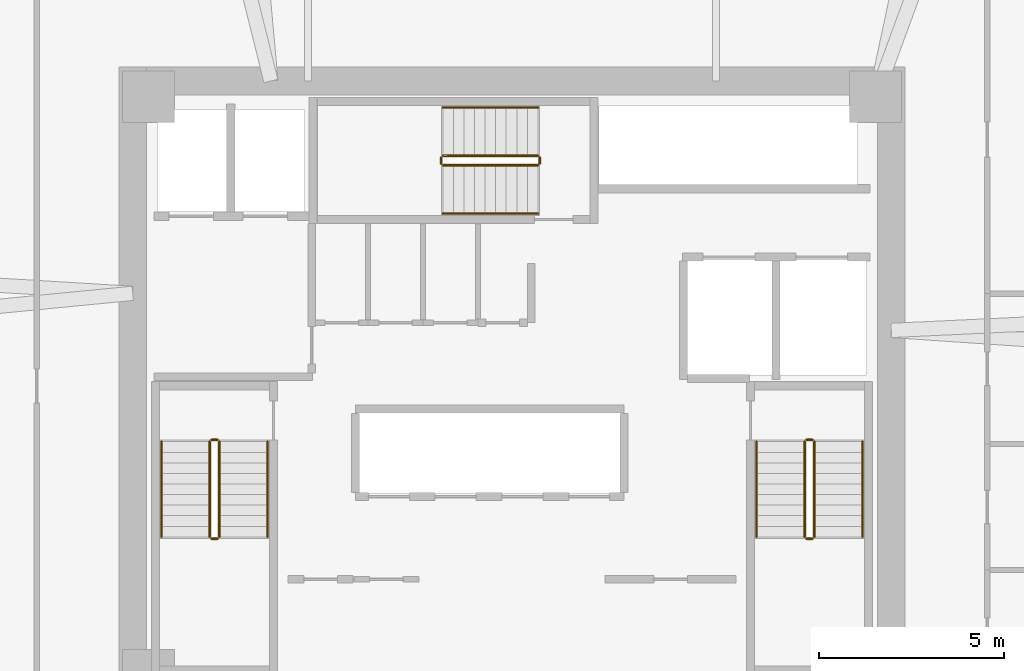
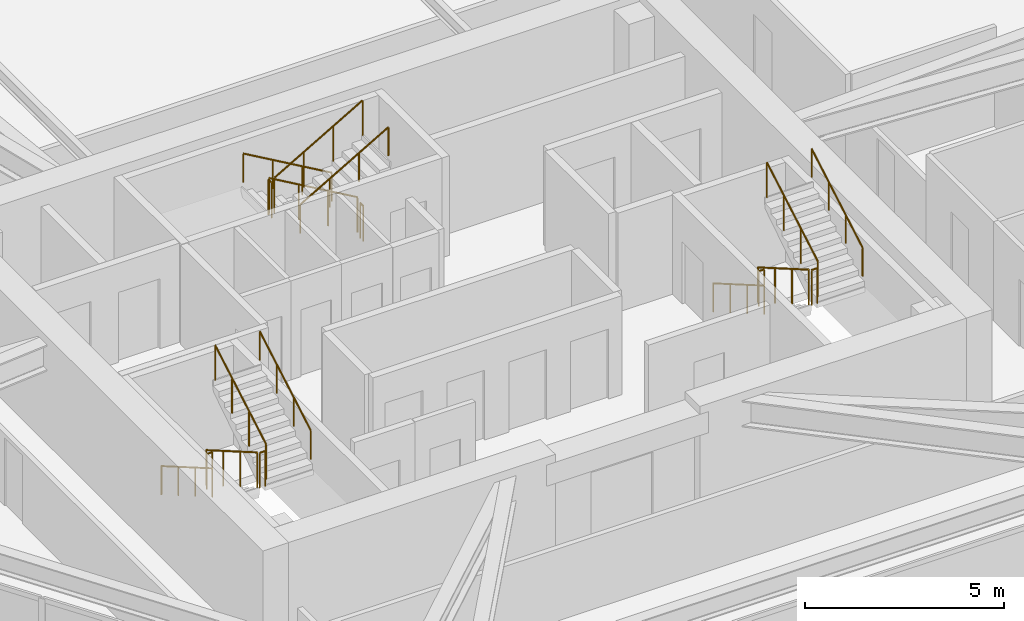
# One storey, part 15 of 15: 18 railings.
"""IFC4 building model written with IfcOpenShell, lengths in metres."""

from ifc_helpers import new_model, si_unit, direction, frame, origin, origin_2d, place, context, subcontext, project, spatial, circle, extrude, material, type_object, element, save


model = new_model("IFC4")

# Units and contexts
model_context = context("Model", 3, precision=1e-05, world=origin(), true_north=direction((0.0, 1.0)))
body_context = subcontext(model_context, "Body", "Model", "MODEL_VIEW")
ifc_project = project(units=[si_unit("LENGTHUNIT", "METRE"), si_unit("AREAUNIT", "SQUARE_METRE"), si_unit("VOLUMEUNIT", "CUBIC_METRE"), si_unit("PLANEANGLEUNIT", "RADIAN"), si_unit("MASSUNIT", "GRAM", prefix="KILO")], contexts=[model_context])

# Site, building, storey
site_placement = place(None, origin())
site = spatial("IfcSite", under=ifc_project, at=site_placement, CompositionType="ELEMENT")
building_placement = place(site_placement, origin())
building = spatial("IfcBuilding", under=site, at=building_placement, Name="Durnholm Broadcast Tower", CompositionType="ELEMENT")
storey_placement = place(building_placement, frame((0.0, 0.0, 97.5)))
storey = spatial("IfcBuildingStorey", under=building, at=storey_placement, Name="L25", CompositionType="ELEMENT", Elevation=97.5)

# Railings
ifc_material_1 = material(Name="Painted Tubular Steel Stair Guardrail", Category="steel")
railing_type_1 = type_object("IfcRailingType", Name="RAIL-ST-GRD", PredefinedType="GUARDRAIL", material=ifc_material_1)
railing_1_placement = place(storey_placement, frame((-8.14990234375, -1.5, 0.1650390625)))
element("IfcRailing", 1, at=railing_1_placement, inside=storey, type_object=railing_type_1, Name="L25 ST-1 stair guard 1", PredefinedType="GUARDRAIL", context=body_context, shape_type="SweptSolid", body=[
    extrude(circle(Radius=0.02392578125, at=origin_2d()), frame((0.0, 0.0, 1.076171875), z_axis=(0.0, -0.865441324677, 0.50101029285), x_axis=(1.0, 0.0, 0.0)), (0.0, 0.0, 1.0), 2.963623046875),
    extrude(circle(Radius=0.02099609375, at=origin_2d()), origin(), (0.0, 0.0, 1.0), 1.052001953125),
    extrude(circle(Radius=0.02099609375, at=origin_2d()), frame((0.0, -0.85498046875, 0.494873046875)), (0.0, 0.0, 1.0), 1.052001953125),
    extrude(circle(Radius=0.02099609375, at=origin_2d()), frame((0.0, -1.7099609375, 0.989990234375)), (0.0, 0.0, 1.0), 1.052001953125),
    extrude(circle(Radius=0.02099609375, at=origin_2d()), frame((0.0, -2.56494140625, 1.48486328125)), (0.0, 0.0, 1.0), 1.052001953125),
])
railing_2_placement = place(storey_placement, frame((-8.10009765625, -4.114990234375, 1.64990234375)))
element("IfcRailing", 2, at=railing_2_placement, inside=storey, type_object=railing_type_1, Name="L25 ST-1 stair guard 2", PredefinedType="GUARDRAIL", context=body_context, shape_type="SweptSolid", body=[
    extrude(circle(Radius=0.02392578125, at=origin_2d()), frame((0.0, 0.0, 1.076171875), z_axis=(1.0, 0.0, 0.0), x_axis=(0.0, 1.0, 0.0)), (0.0, 0.0, 1.0), 0.16015625),
    extrude(circle(Radius=0.02099609375, at=origin_2d()), origin(), (0.0, 0.0, 1.0), 1.052001953125),
    extrude(circle(Radius=0.02099609375, at=origin_2d()), frame((0.16015625, 0.0, 0.0)), (0.0, 0.0, 1.0), 1.052001953125),
])
railing_3_placement = place(storey_placement, frame((-7.889892578125, -4.06494140625, 1.81494140625)))
element("IfcRailing", 3, at=railing_3_placement, inside=storey, type_object=railing_type_1, Name="L25 ST-1 stair guard 3", PredefinedType="GUARDRAIL", context=body_context, shape_type="SweptSolid", body=[
    extrude(circle(Radius=0.02392578125, at=origin_2d()), frame((0.0, 0.0, 1.076171875), z_axis=(0.0, 0.865405606168, 0.501071987656), x_axis=(-1.0, 0.0, 0.0)), (0.0, 0.0, 1.0), 2.9638671875),
    extrude(circle(Radius=0.02099609375, at=origin_2d()), origin(), (0.0, 0.0, 1.0), 1.052001953125),
    extrude(circle(Radius=0.02099609375, at=origin_2d()), frame((0.0, 0.85498046875, 0.4951171875)), (0.0, 0.0, 1.0), 1.052001953125),
    extrude(circle(Radius=0.02099609375, at=origin_2d()), frame((0.0, 1.7099609375, 0.989990234375)), (0.0, 0.0, 1.0), 1.052001953125),
    extrude(circle(Radius=0.02099609375, at=origin_2d()), frame((0.0, 2.56494140625, 1.485107421875)), (0.0, 0.0, 1.0), 1.052001953125),
])
railing_4_placement = place(storey_placement, frame((-8.10009765625, -1.449951171875, 0.0)))
element("IfcRailing", 4, at=railing_4_placement, inside=storey, type_object=railing_type_1, Name="L25 ST-1 stair guard 4", PredefinedType="GUARDRAIL", context=body_context, shape_type="SweptSolid", body=[
    extrude(circle(Radius=0.02392578125, at=origin_2d()), frame((0.0, 0.0, 1.076171875), z_axis=(1.0, 0.0, 0.0), x_axis=(0.0, 1.0, 0.0)), (0.0, 0.0, 1.0), 0.16015625),
    extrude(circle(Radius=0.02099609375, at=origin_2d()), origin(), (0.0, 0.0, 1.0), 1.052001953125),
    extrude(circle(Radius=0.02099609375, at=origin_2d()), frame((0.16015625, 0.0, 0.0)), (0.0, 0.0, 1.0), 1.052001953125),
])
railing_5_placement = place(storey_placement, frame((7.889892578125, -1.5, 0.1650390625)))
element("IfcRailing", 5, at=railing_5_placement, inside=storey, type_object=railing_type_1, Name="L25 ST-2 stair guard 1", PredefinedType="GUARDRAIL", context=body_context, shape_type="SweptSolid", body=[
    extrude(circle(Radius=0.02392578125, at=origin_2d()), frame((0.0, 0.0, 1.076171875), z_axis=(0.0, -0.865441324677, 0.50101029285), x_axis=(1.0, 0.0, 0.0)), (0.0, 0.0, 1.0), 2.963623046875),
    extrude(circle(Radius=0.02099609375, at=origin_2d()), origin(), (0.0, 0.0, 1.0), 1.052001953125),
    extrude(circle(Radius=0.02099609375, at=origin_2d()), frame((0.0, -0.85498046875, 0.494873046875)), (0.0, 0.0, 1.0), 1.052001953125),
    extrude(circle(Radius=0.02099609375, at=origin_2d()), frame((0.0, -1.7099609375, 0.989990234375)), (0.0, 0.0, 1.0), 1.052001953125),
    extrude(circle(Radius=0.02099609375, at=origin_2d()), frame((0.0, -2.56494140625, 1.48486328125)), (0.0, 0.0, 1.0), 1.052001953125),
])
railing_6_placement = place(storey_placement, frame((7.93994140625, -4.114990234375, 1.64990234375)))
element("IfcRailing", 6, at=railing_6_placement, inside=storey, type_object=railing_type_1, Name="L25 ST-2 stair guard 2", PredefinedType="GUARDRAIL", context=body_context, shape_type="SweptSolid", body=[
    extrude(circle(Radius=0.02392578125, at=origin_2d()), frame((0.0, 0.0, 1.076171875), z_axis=(1.0, 0.0, 0.0), x_axis=(0.0, 1.0, 0.0)), (0.0, 0.0, 1.0), 0.16015625),
    extrude(circle(Radius=0.02099609375, at=origin_2d()), origin(), (0.0, 0.0, 1.0), 1.052001953125),
    extrude(circle(Radius=0.02099609375, at=origin_2d()), frame((0.16015625, 0.0, 0.0)), (0.0, 0.0, 1.0), 1.052001953125),
])
railing_7_placement = place(storey_placement, frame((8.14990234375, -4.06494140625, 1.81494140625)))
element("IfcRailing", 7, at=railing_7_placement, inside=storey, type_object=railing_type_1, Name="L25 ST-2 stair guard 3", PredefinedType="GUARDRAIL", context=body_context, shape_type="SweptSolid", body=[
    extrude(circle(Radius=0.02392578125, at=origin_2d()), frame((0.0, 0.0, 1.076171875), z_axis=(0.0, 0.865405606168, 0.501071987656), x_axis=(-1.0, 0.0, 0.0)), (0.0, 0.0, 1.0), 2.9638671875),
    extrude(circle(Radius=0.02099609375, at=origin_2d()), origin(), (0.0, 0.0, 1.0), 1.052001953125),
    extrude(circle(Radius=0.02099609375, at=origin_2d()), frame((0.0, 0.85498046875, 0.4951171875)), (0.0, 0.0, 1.0), 1.052001953125),
    extrude(circle(Radius=0.02099609375, at=origin_2d()), frame((0.0, 1.7099609375, 0.989990234375)), (0.0, 0.0, 1.0), 1.052001953125),
    extrude(circle(Radius=0.02099609375, at=origin_2d()), frame((0.0, 2.56494140625, 1.485107421875)), (0.0, 0.0, 1.0), 1.052001953125),
])
railing_8_placement = place(storey_placement, frame((7.93994140625, -1.449951171875, 0.0)))
element("IfcRailing", 8, at=railing_8_placement, inside=storey, type_object=railing_type_1, Name="L25 ST-2 stair guard 4", PredefinedType="GUARDRAIL", context=body_context, shape_type="SweptSolid", body=[
    extrude(circle(Radius=0.02392578125, at=origin_2d()), frame((0.0, 0.0, 1.076171875), z_axis=(1.0, 0.0, 0.0), x_axis=(0.0, 1.0, 0.0)), (0.0, 0.0, 1.0), 0.16015625),
    extrude(circle(Radius=0.02099609375, at=origin_2d()), origin(), (0.0, 0.0, 1.0), 1.052001953125),
    extrude(circle(Radius=0.02099609375, at=origin_2d()), frame((0.16015625, 0.0, 0.0)), (0.0, 0.0, 1.0), 1.052001953125),
])
railing_9_placement = place(storey_placement, frame((0.699951171875, 6.2099609375, 0.1650390625)))
element("IfcRailing", 9, at=railing_9_placement, inside=storey, type_object=railing_type_1, Name="L25 ST-3 stair guard 1", PredefinedType="GUARDRAIL", context=body_context, shape_type="SweptSolid", body=[
    extrude(circle(Radius=0.02392578125, at=origin_2d()), frame((0.0, 0.0, 1.076171875), z_axis=(-0.865441324677, 0.0, 0.50101029285), x_axis=(0.0, -1.0, 0.0)), (0.0, 0.0, 1.0), 2.963623046875),
    extrude(circle(Radius=0.02099609375, at=origin_2d()), origin(), (0.0, 0.0, 1.0), 1.052001953125),
    extrude(circle(Radius=0.02099609375, at=origin_2d()), frame((-0.85498046875, 0.0, 0.494873046875)), (0.0, 0.0, 1.0), 1.052001953125),
    extrude(circle(Radius=0.02099609375, at=origin_2d()), frame((-1.7099609375, 0.0, 0.989990234375)), (0.0, 0.0, 1.0), 1.052001953125),
    extrude(circle(Radius=0.02099609375, at=origin_2d()), frame((-2.56494140625, 0.0, 1.48486328125)), (0.0, 0.0, 1.0), 1.052001953125),
])
railing_10_placement = place(storey_placement, frame((-1.9150390625, 6.159912109375, 1.64990234375)))
element("IfcRailing", 10, at=railing_10_placement, inside=storey, type_object=railing_type_1, Name="L25 ST-3 stair guard 2", PredefinedType="GUARDRAIL", context=body_context, shape_type="SweptSolid", body=[
    extrude(circle(Radius=0.02392578125, at=origin_2d()), frame((0.0, 0.0, 1.076171875), z_axis=(0.0, -1.0, 0.0), x_axis=(1.0, 0.0, 0.0)), (0.0, 0.0, 1.0), 0.159912109375),
    extrude(circle(Radius=0.02099609375, at=origin_2d()), origin(), (0.0, 0.0, 1.0), 1.052001953125),
    extrude(circle(Radius=0.02099609375, at=origin_2d()), frame((0.0, -0.159912109375, 0.0)), (0.0, 0.0, 1.0), 1.052001953125),
])
railing_11_placement = place(storey_placement, frame((-1.864990234375, 5.949951171875, 1.81494140625)))
element("IfcRailing", 11, at=railing_11_placement, inside=storey, type_object=railing_type_1, Name="L25 ST-3 stair guard 3", PredefinedType="GUARDRAIL", context=body_context, shape_type="SweptSolid", body=[
    extrude(circle(Radius=0.02392578125, at=origin_2d()), frame((0.0, 0.0, 1.076171875), z_axis=(0.865405606168, 0.0, 0.501071987656), x_axis=(0.0, 1.0, 0.0)), (0.0, 0.0, 1.0), 2.9638671875),
    extrude(circle(Radius=0.02099609375, at=origin_2d()), origin(), (0.0, 0.0, 1.0), 1.052001953125),
    extrude(circle(Radius=0.02099609375, at=origin_2d()), frame((0.85498046875, 0.0, 0.4951171875)), (0.0, 0.0, 1.0), 1.052001953125),
    extrude(circle(Radius=0.02099609375, at=origin_2d()), frame((1.7099609375, 0.0, 0.989990234375)), (0.0, 0.0, 1.0), 1.052001953125),
    extrude(circle(Radius=0.02099609375, at=origin_2d()), frame((2.56494140625, 0.0, 1.485107421875)), (0.0, 0.0, 1.0), 1.052001953125),
])
railing_12_placement = place(storey_placement, frame((0.75, 6.159912109375, 0.0)))
element("IfcRailing", 12, at=railing_12_placement, inside=storey, type_object=railing_type_1, Name="L25 ST-3 stair guard 4", PredefinedType="GUARDRAIL", context=body_context, shape_type="SweptSolid", body=[
    extrude(circle(Radius=0.02392578125, at=origin_2d()), frame((0.0, 0.0, 1.076171875), z_axis=(0.0, -1.0, 0.0), x_axis=(1.0, 0.0, 0.0)), (0.0, 0.0, 1.0), 0.159912109375),
    extrude(circle(Radius=0.02099609375, at=origin_2d()), origin(), (0.0, 0.0, 1.0), 1.052001953125),
    extrude(circle(Radius=0.02099609375, at=origin_2d()), frame((0.0, -0.159912109375, 0.0)), (0.0, 0.0, 1.0), 1.052001953125),
])
ifc_material_2 = material(Name="Brushed Stainless Steel Handrail", Category="steel")
railing_type_2 = type_object("IfcRailingType", Name="RAIL-ST-HND", PredefinedType="HANDRAIL", material=ifc_material_2)
railing_13_placement = place(storey_placement, frame((-9.449951171875, -1.5, 0.330078125)))
element("IfcRailing", 13, at=railing_13_placement, inside=storey, type_object=railing_type_2, Name="L25 ST-1 stair handrail 1", PredefinedType="HANDRAIL", context=body_context, shape_type="SweptSolid", body=[
    extrude(circle(Radius=0.02392578125, at=origin_2d()), frame((0.0, 0.0, 0.8759765625), z_axis=(0.0, -0.865441324677, 0.50101029285), x_axis=(1.0, 0.0, 0.0)), (0.0, 0.0, 1.0), 2.963623046875),
    extrude(circle(Radius=0.02099609375, at=origin_2d()), origin(), (0.0, 0.0, 1.0), 0.851806640625),
    extrude(circle(Radius=0.02099609375, at=origin_2d()), frame((0.0, -0.85498046875, 0.494873046875)), (0.0, 0.0, 1.0), 0.851806640625),
    extrude(circle(Radius=0.02099609375, at=origin_2d()), frame((0.0, -1.7099609375, 0.989990234375)), (0.0, 0.0, 1.0), 0.851806640625),
    extrude(circle(Radius=0.02099609375, at=origin_2d()), frame((0.0, -2.56494140625, 1.48486328125)), (0.0, 0.0, 1.0), 0.851806640625),
])
railing_14_placement = place(storey_placement, frame((-6.590087890625, -4.06494140625, 1.97998046875)))
element("IfcRailing", 14, at=railing_14_placement, inside=storey, type_object=railing_type_2, Name="L25 ST-1 stair handrail 2", PredefinedType="HANDRAIL", context=body_context, shape_type="SweptSolid", body=[
    extrude(circle(Radius=0.02392578125, at=origin_2d()), frame((0.0, 0.0, 0.8759765625), z_axis=(0.0, 0.865405606168, 0.501071987656), x_axis=(-1.0, 0.0, 0.0)), (0.0, 0.0, 1.0), 2.9638671875),
    extrude(circle(Radius=0.02099609375, at=origin_2d()), origin(), (0.0, 0.0, 1.0), 0.851806640625),
    extrude(circle(Radius=0.02099609375, at=origin_2d()), frame((0.0, 0.85498046875, 0.4951171875)), (0.0, 0.0, 1.0), 0.851806640625),
    extrude(circle(Radius=0.02099609375, at=origin_2d()), frame((0.0, 1.7099609375, 0.989990234375)), (0.0, 0.0, 1.0), 0.851806640625),
    extrude(circle(Radius=0.02099609375, at=origin_2d()), frame((0.0, 2.56494140625, 1.485107421875)), (0.0, 0.0, 1.0), 0.851806640625),
])
railing_15_placement = place(storey_placement, frame((6.590087890625, -1.5, 0.330078125)))
element("IfcRailing", 15, at=railing_15_placement, inside=storey, type_object=railing_type_2, Name="L25 ST-2 stair handrail 1", PredefinedType="HANDRAIL", context=body_context, shape_type="SweptSolid", body=[
    extrude(circle(Radius=0.02392578125, at=origin_2d()), frame((0.0, 0.0, 0.8759765625), z_axis=(0.0, -0.865441324677, 0.50101029285), x_axis=(1.0, 0.0, 0.0)), (0.0, 0.0, 1.0), 2.963623046875),
    extrude(circle(Radius=0.02099609375, at=origin_2d()), origin(), (0.0, 0.0, 1.0), 0.851806640625),
    extrude(circle(Radius=0.02099609375, at=origin_2d()), frame((0.0, -0.85498046875, 0.494873046875)), (0.0, 0.0, 1.0), 0.851806640625),
    extrude(circle(Radius=0.02099609375, at=origin_2d()), frame((0.0, -1.7099609375, 0.989990234375)), (0.0, 0.0, 1.0), 0.851806640625),
    extrude(circle(Radius=0.02099609375, at=origin_2d()), frame((0.0, -2.56494140625, 1.48486328125)), (0.0, 0.0, 1.0), 0.851806640625),
])
railing_16_placement = place(storey_placement, frame((9.449951171875, -4.06494140625, 1.97998046875)))
element("IfcRailing", 16, at=railing_16_placement, inside=storey, type_object=railing_type_2, Name="L25 ST-2 stair handrail 2", PredefinedType="HANDRAIL", context=body_context, shape_type="SweptSolid", body=[
    extrude(circle(Radius=0.02392578125, at=origin_2d()), frame((0.0, 0.0, 0.8759765625), z_axis=(0.0, 0.865405606168, 0.501071987656), x_axis=(-1.0, 0.0, 0.0)), (0.0, 0.0, 1.0), 2.9638671875),
    extrude(circle(Radius=0.02099609375, at=origin_2d()), origin(), (0.0, 0.0, 1.0), 0.851806640625),
    extrude(circle(Radius=0.02099609375, at=origin_2d()), frame((0.0, 0.85498046875, 0.4951171875)), (0.0, 0.0, 1.0), 0.851806640625),
    extrude(circle(Radius=0.02099609375, at=origin_2d()), frame((0.0, 1.7099609375, 0.989990234375)), (0.0, 0.0, 1.0), 0.851806640625),
    extrude(circle(Radius=0.02099609375, at=origin_2d()), frame((0.0, 2.56494140625, 1.485107421875)), (0.0, 0.0, 1.0), 0.851806640625),
])
railing_17_placement = place(storey_placement, frame((0.699951171875, 7.510009765625, 0.330078125)))
element("IfcRailing", 17, at=railing_17_placement, inside=storey, type_object=railing_type_2, Name="L25 ST-3 stair handrail 1", PredefinedType="HANDRAIL", context=body_context, shape_type="SweptSolid", body=[
    extrude(circle(Radius=0.02392578125, at=origin_2d()), frame((0.0, 0.0, 0.8759765625), z_axis=(-0.865441324677, 0.0, 0.50101029285), x_axis=(0.0, -1.0, 0.0)), (0.0, 0.0, 1.0), 2.963623046875),
    extrude(circle(Radius=0.02099609375, at=origin_2d()), origin(), (0.0, 0.0, 1.0), 0.851806640625),
    extrude(circle(Radius=0.02099609375, at=origin_2d()), frame((-0.85498046875, 0.0, 0.494873046875)), (0.0, 0.0, 1.0), 0.851806640625),
    extrude(circle(Radius=0.02099609375, at=origin_2d()), frame((-1.7099609375, 0.0, 0.989990234375)), (0.0, 0.0, 1.0), 0.851806640625),
    extrude(circle(Radius=0.02099609375, at=origin_2d()), frame((-2.56494140625, 0.0, 1.48486328125)), (0.0, 0.0, 1.0), 0.851806640625),
])
railing_18_placement = place(storey_placement, frame((-1.864990234375, 4.64990234375, 1.97998046875)))
element("IfcRailing", 18, at=railing_18_placement, inside=storey, type_object=railing_type_2, Name="L25 ST-3 stair handrail 2", PredefinedType="HANDRAIL", context=body_context, shape_type="SweptSolid", body=[
    extrude(circle(Radius=0.02392578125, at=origin_2d()), frame((0.0, 0.0, 0.8759765625), z_axis=(0.865405606168, 0.0, 0.501071987656), x_axis=(0.0, 1.0, 0.0)), (0.0, 0.0, 1.0), 2.9638671875),
    extrude(circle(Radius=0.02099609375, at=origin_2d()), origin(), (0.0, 0.0, 1.0), 0.851806640625),
    extrude(circle(Radius=0.02099609375, at=origin_2d()), frame((0.85498046875, 0.0, 0.4951171875)), (0.0, 0.0, 1.0), 0.851806640625),
    extrude(circle(Radius=0.02099609375, at=origin_2d()), frame((1.7099609375, 0.0, 0.989990234375)), (0.0, 0.0, 1.0), 0.851806640625),
    extrude(circle(Radius=0.02099609375, at=origin_2d()), frame((2.56494140625, 0.0, 1.485107421875)), (0.0, 0.0, 1.0), 0.851806640625),
])

save(model, "model.ifc")
